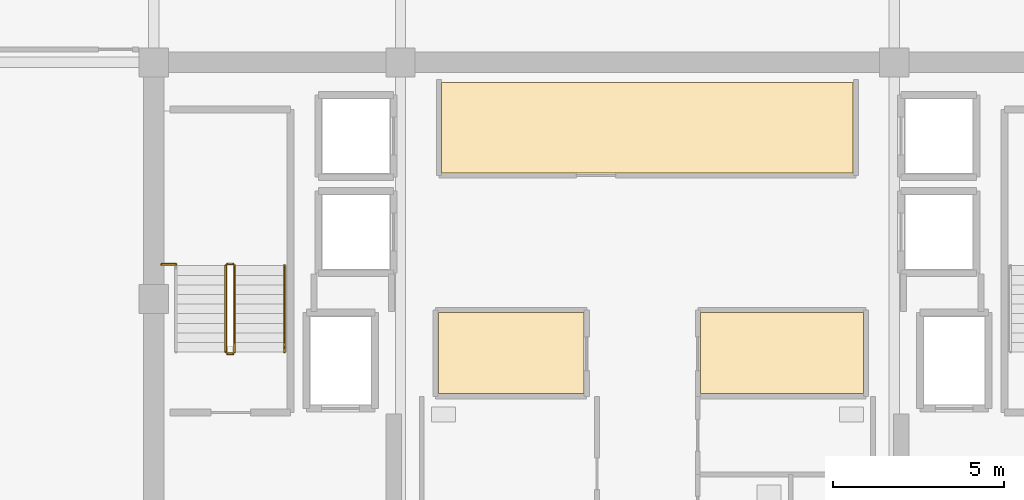
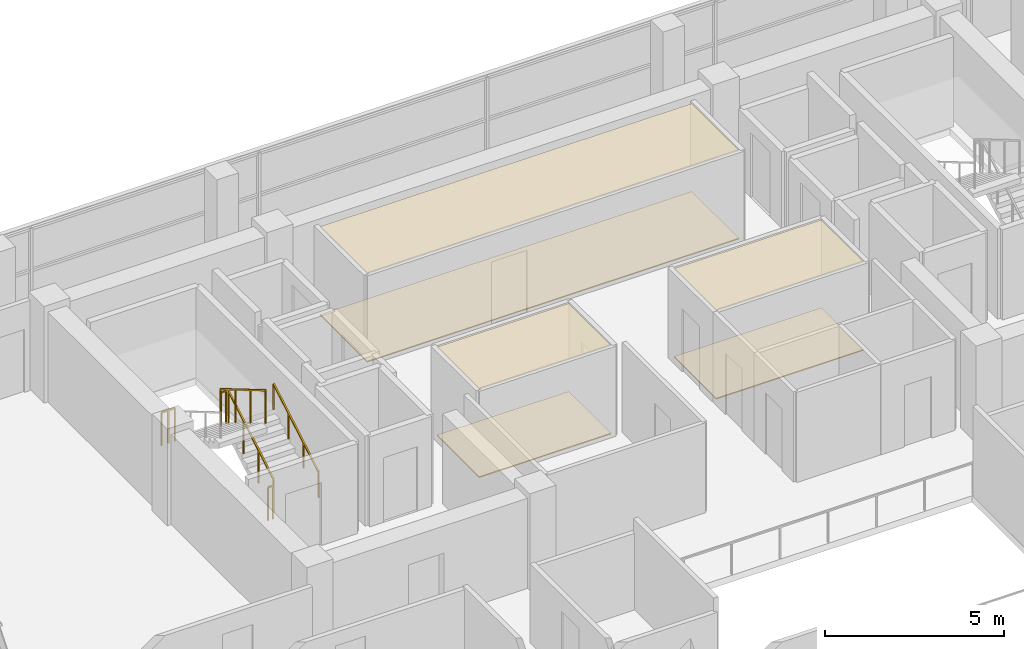
# One storey, part 21 of 23: 6 coverings, 6 railings.
"""IFC4 building model written with IfcOpenShell, lengths in metres."""

from ifc_helpers import new_model, si_unit, direction, frame, origin, origin_2d, place, context, subcontext, project, spatial, polyline, rectangle, outline, extrude, material, layer, layer_set, type_object, element, save


model = new_model("IFC4")

# Units and contexts
model_context = context("Model", 3, precision=1e-05, world=origin(), true_north=direction((0.0, 1.0)))
body_context = subcontext(model_context, "Body", "Model", "MODEL_VIEW")
ifc_project = project(units=[si_unit("LENGTHUNIT", "METRE"), si_unit("AREAUNIT", "SQUARE_METRE"), si_unit("VOLUMEUNIT", "CUBIC_METRE"), si_unit("PLANEANGLEUNIT", "RADIAN"), si_unit("MASSUNIT", "GRAM", prefix="KILO")], contexts=[model_context])

# Site, building, storey
site_placement = place(None, origin())
site = spatial("IfcSite", under=ifc_project, at=site_placement, CompositionType="ELEMENT")
building_placement = place(site_placement, origin())
building = spatial("IfcBuilding", under=site, at=building_placement, Name="Zarnakvel Exchange Tower", CompositionType="ELEMENT")
storey_placement = place(building_placement, frame((0.0, 0.0, 212.199951171875)))
storey = spatial("IfcBuildingStorey", under=building, at=storey_placement, Name="L59", CompositionType="ELEMENT", Elevation=212.199951171875)

# Coverings
ifc_material_1 = material(Name="Perforated Bronze Acoustic Metal Ceiling", Category="aluminium")
ifc_layer_1 = layer(ifc_material_1, 0.02001953125)
ifc_layer_set_1 = layer_set([ifc_layer_1], Name="Perforated Bronze Acoustic Metal Ceiling")
covering_type_1 = type_object("IfcCoveringType", Name="CLG-01", PredefinedType="CEILING", material=ifc_layer_set_1)
covering_1_placement = place(storey_placement, frame((0.0, 0.0, 3.01513671875)))
element("IfcCovering", 1, at=covering_1_placement, inside=storey, type_object=covering_type_1, Name="L59 Suspended Acoustic Ceiling (Market Data Archive Suite)", PredefinedType="CEILING", context=body_context, shape_type="SweptSolid", body=[
    extrude(outline(polyline([(-6.0, 12.919921875), (6.0, 12.919921875), (6.0, 10.280029296875), (-6.0, 10.280029296875), (-6.0, 12.919921875)])), origin(), (0.0, 0.0, 1.0), 0.02001953125),
])
covering_2_placement = place(storey_placement, frame((0.0, 0.0, 3.01513671875)))
element("IfcCovering", 2, at=covering_2_placement, inside=storey, type_object=covering_type_1, Name="L59 Suspended Acoustic Ceiling (Sovereign Compliance Office)", PredefinedType="CEILING", context=body_context, shape_type="SweptSolid", body=[
    extrude(outline(polyline([(-6.10009765625, 6.199951171875), (-1.85009765625, 6.199951171875), (-1.85009765625, 3.840087890625), (-6.10009765625, 3.840087890625), (-6.10009765625, 6.199951171875)])), origin(), (0.0, 0.0, 1.0), 0.02001953125),
])
covering_3_placement = place(storey_placement, frame((0.0, 0.0, 3.01513671875)))
element("IfcCovering", 3, at=covering_3_placement, inside=storey, type_object=covering_type_1, Name="L59 Suspended Acoustic Ceiling (Depository Legal Office)", PredefinedType="CEILING", context=body_context, shape_type="SweptSolid", body=[
    extrude(outline(polyline([(1.550048828125, 6.199951171875), (6.300048828125, 6.199951171875), (6.300048828125, 3.840087890625), (1.550048828125, 3.840087890625), (1.550048828125, 6.199951171875)])), origin(), (0.0, 0.0, 1.0), 0.02001953125),
])
ifc_material_2 = material(Name="Heavy-Duty Raised Access Floor Panel", Category="steel")
ifc_layer_2 = layer(ifc_material_2, 0.034912109375)
ifc_layer_set_2 = layer_set([ifc_layer_2], Name="Heavy-Duty Raised Access Floor Panel")
covering_type_2 = type_object("IfcCoveringType", Name="FLR-02", PredefinedType="FLOORING", material=ifc_layer_set_2)
covering_4_placement = place(storey_placement, origin())
element("IfcCovering", 4, at=covering_4_placement, inside=storey, type_object=covering_type_2, Name="L59 Floor Finish (Market Data Archive Suite)", PredefinedType="FLOORING", context=body_context, shape_type="SweptSolid", body=[
    extrude(outline(polyline([(-6.0, 12.919921875), (6.0, 12.919921875), (6.0, 10.280029296875), (-6.0, 10.280029296875), (-6.0, 12.919921875)])), origin(), (0.0, 0.0, 1.0), 0.03515625),
])
covering_5_placement = place(storey_placement, origin())
element("IfcCovering", 5, at=covering_5_placement, inside=storey, type_object=covering_type_2, Name="L59 Floor Finish (Sovereign Compliance Office)", PredefinedType="FLOORING", context=body_context, shape_type="SweptSolid", body=[
    extrude(outline(polyline([(-6.10009765625, 6.199951171875), (-1.85009765625, 6.199951171875), (-1.85009765625, 3.840087890625), (-6.10009765625, 3.840087890625), (-6.10009765625, 6.199951171875)])), origin(), (0.0, 0.0, 1.0), 0.03515625),
])
covering_6_placement = place(storey_placement, origin())
element("IfcCovering", 6, at=covering_6_placement, inside=storey, type_object=covering_type_2, Name="L59 Floor Finish (Depository Legal Office)", PredefinedType="FLOORING", context=body_context, shape_type="SweptSolid", body=[
    extrude(outline(polyline([(1.550048828125, 6.199951171875), (6.300048828125, 6.199951171875), (6.300048828125, 3.840087890625), (1.550048828125, 3.840087890625), (1.550048828125, 6.199951171875)])), origin(), (0.0, 0.0, 1.0), 0.03515625),
])

# Railings
ifc_material_3 = material(Name="Brushed Stainless Steel", Category="steel")
railing_type_1 = type_object("IfcRailingType", Name="HR-01", PredefinedType="HANDRAIL", material=ifc_material_3)
railing_1_placement = place(storey_placement, frame((-10.590087890625, 5.050048828125, 0.1650390625)))
element("IfcRailing", 7, at=railing_1_placement, inside=storey, type_object=railing_type_1, Name="L59 ST-01 stair handrail 1", PredefinedType="HANDRAIL", context=body_context, shape_type="SweptSolid", body=[
    extrude(rectangle(XDim=0.048095703125, YDim=0.048095703125, at=origin_2d()), frame((0.0, 0.0, 0.8759765625), z_axis=(0.0, 0.86152411907, 0.507716645641), x_axis=(-1.0, 0.0, 0.0)), (0.0, 0.0, 1.0), 2.925048828125),
    extrude(rectangle(XDim=0.0419921875, YDim=0.0419921875, at=origin_2d()), origin(), (0.0, 0.0, 1.0), 0.851806640625),
    extrude(rectangle(XDim=0.0419921875, YDim=0.0419921875, at=origin_2d()), frame((0.0, 0.840087890625, 0.4951171875)), (0.0, 0.0, 1.0), 0.851806640625),
    extrude(rectangle(XDim=0.0419921875, YDim=0.0419921875, at=origin_2d()), frame((0.0, 1.679931640625, 0.989990234375)), (0.0, 0.0, 1.0), 0.851806640625),
    extrude(rectangle(XDim=0.0419921875, YDim=0.0419921875, at=origin_2d()), frame((0.0, 2.52001953125, 1.485107421875)), (0.0, 0.0, 1.0), 0.851806640625),
])
ifc_material_4 = material(Name="Architectural Bronze Anodised Aluminium", Category="aluminium")
railing_type_2 = type_object("IfcRailingType", Name="SG-01", PredefinedType="GUARDRAIL", material=ifc_material_4)
railing_2_placement = place(storey_placement, frame((-12.0400390625, 5.050048828125, 0.1650390625)))
element("IfcRailing", 8, at=railing_2_placement, inside=storey, type_object=railing_type_2, Name="L59 ST-01 stair guard 1", PredefinedType="GUARDRAIL", context=body_context, shape_type="SweptSolid", body=[
    extrude(rectangle(XDim=0.048095703125, YDim=0.048095703125, at=origin_2d()), frame((0.0, 0.0, 1.1259765625), z_axis=(0.0, 0.86152411907, 0.507716645641), x_axis=(-1.0, 0.0, 0.0)), (0.0, 0.0, 1.0), 2.925048828125),
    extrude(rectangle(XDim=0.0419921875, YDim=0.0419921875, at=origin_2d()), origin(), (0.0, 0.0, 1.0), 1.101806640625),
    extrude(rectangle(XDim=0.0419921875, YDim=0.0419921875, at=origin_2d()), frame((0.0, 0.840087890625, 0.4951171875)), (0.0, 0.0, 1.0), 1.101806640625),
    extrude(rectangle(XDim=0.0419921875, YDim=0.0419921875, at=origin_2d()), frame((0.0, 1.679931640625, 0.989990234375)), (0.0, 0.0, 1.0), 1.101806640625),
    extrude(rectangle(XDim=0.0419921875, YDim=0.0419921875, at=origin_2d()), frame((0.0, 2.52001953125, 1.485107421875)), (0.0, 0.0, 1.0), 1.101806640625),
])
railing_3_placement = place(storey_placement, frame((-12.090087890625, 7.6201171875, 1.650146484375)))
element("IfcRailing", 9, at=railing_3_placement, inside=storey, type_object=railing_type_2, Name="L59 ST-01 stair guard 2", PredefinedType="GUARDRAIL", context=body_context, shape_type="SweptSolid", body=[
    extrude(rectangle(XDim=0.048095703125, YDim=0.048095703125, at=origin_2d()), frame((0.0, 0.0, 1.1259765625), z_axis=(-1.0, 0.0, 0.0), x_axis=(0.0, -1.0, 0.0)), (0.0, 0.0, 1.0), 0.159912109375),
    extrude(rectangle(XDim=0.0419921875, YDim=0.0419921875, at=origin_2d()), origin(), (0.0, 0.0, 1.0), 1.101806640625),
    extrude(rectangle(XDim=0.0419921875, YDim=0.0419921875, at=origin_2d()), frame((-0.159912109375, 0.0, 0.0)), (0.0, 0.0, 1.0), 1.101806640625),
])
railing_4_placement = place(storey_placement, frame((-12.300048828125, 7.570068359375, 1.81494140625)))
element("IfcRailing", 10, at=railing_4_placement, inside=storey, type_object=railing_type_2, Name="L59 ST-01 stair guard 3", PredefinedType="GUARDRAIL", context=body_context, shape_type="SweptSolid", body=[
    extrude(rectangle(XDim=0.048095703125, YDim=0.048095703125, at=origin_2d()), frame((0.0, 0.0, 1.1259765625), z_axis=(0.0, -0.86152411907, 0.507716645641), x_axis=(1.0, 0.0, 0.0)), (0.0, 0.0, 1.0), 2.925048828125),
    extrude(rectangle(XDim=0.0419921875, YDim=0.0419921875, at=origin_2d()), origin(), (0.0, 0.0, 1.0), 1.101806640625),
    extrude(rectangle(XDim=0.0419921875, YDim=0.0419921875, at=origin_2d()), frame((0.0, -0.840087890625, 0.4951171875)), (0.0, 0.0, 1.0), 1.101806640625),
    extrude(rectangle(XDim=0.0419921875, YDim=0.0419921875, at=origin_2d()), frame((0.0, -1.679931640625, 0.989990234375)), (0.0, 0.0, 1.0), 1.101806640625),
    extrude(rectangle(XDim=0.0419921875, YDim=0.0419921875, at=origin_2d()), frame((0.0, -2.52001953125, 1.485107421875)), (0.0, 0.0, 1.0), 1.101806640625),
])
railing_5_placement = place(storey_placement, frame((-12.090087890625, 5.0, 0.0)))
element("IfcRailing", 11, at=railing_5_placement, inside=storey, type_object=railing_type_2, Name="L59 ST-01 stair guard 4", PredefinedType="GUARDRAIL", context=body_context, shape_type="SweptSolid", body=[
    extrude(rectangle(XDim=0.048095703125, YDim=0.048095703125, at=origin_2d()), frame((0.0, 0.0, 1.1259765625), z_axis=(-1.0, 0.0, 0.0), x_axis=(0.0, -1.0, 0.0)), (0.0, 0.0, 1.0), 0.159912109375),
    extrude(rectangle(XDim=0.0419921875, YDim=0.0419921875, at=origin_2d()), origin(), (0.0, 0.0, 1.0), 1.101806640625),
    extrude(rectangle(XDim=0.0419921875, YDim=0.0419921875, at=origin_2d()), frame((-0.159912109375, 0.0, 0.0)), (0.0, 0.0, 1.0), 1.101806640625),
])
railing_6_placement = place(storey_placement, frame((-14.179931640625, 7.610107421875, 1.650146484375)))
element("IfcRailing", 12, at=railing_6_placement, inside=storey, type_object=railing_type_2, Name="L59 ST-01 Landing Slot Guardrail", PredefinedType="GUARDRAIL", context=body_context, shape_type="SweptSolid", body=[
    extrude(rectangle(XDim=0.048095703125, YDim=0.048095703125, at=origin_2d()), frame((0.0, 0.0, 1.1259765625), z_axis=(1.0, 0.0, 0.0), x_axis=(0.0, 1.0, 0.0)), (0.0, 0.0, 1.0), 0.429931640625),
    extrude(rectangle(XDim=0.0419921875, YDim=0.0419921875, at=origin_2d()), origin(), (0.0, 0.0, 1.0), 1.101806640625),
    extrude(rectangle(XDim=0.0419921875, YDim=0.0419921875, at=origin_2d()), frame((0.21484375, 0.0, 0.0)), (0.0, 0.0, 1.0), 1.101806640625),
    extrude(rectangle(XDim=0.0419921875, YDim=0.0419921875, at=origin_2d()), frame((0.429931640625, 0.0, 0.0)), (0.0, 0.0, 1.0), 1.101806640625),
])

save(model, "model.ifc")
